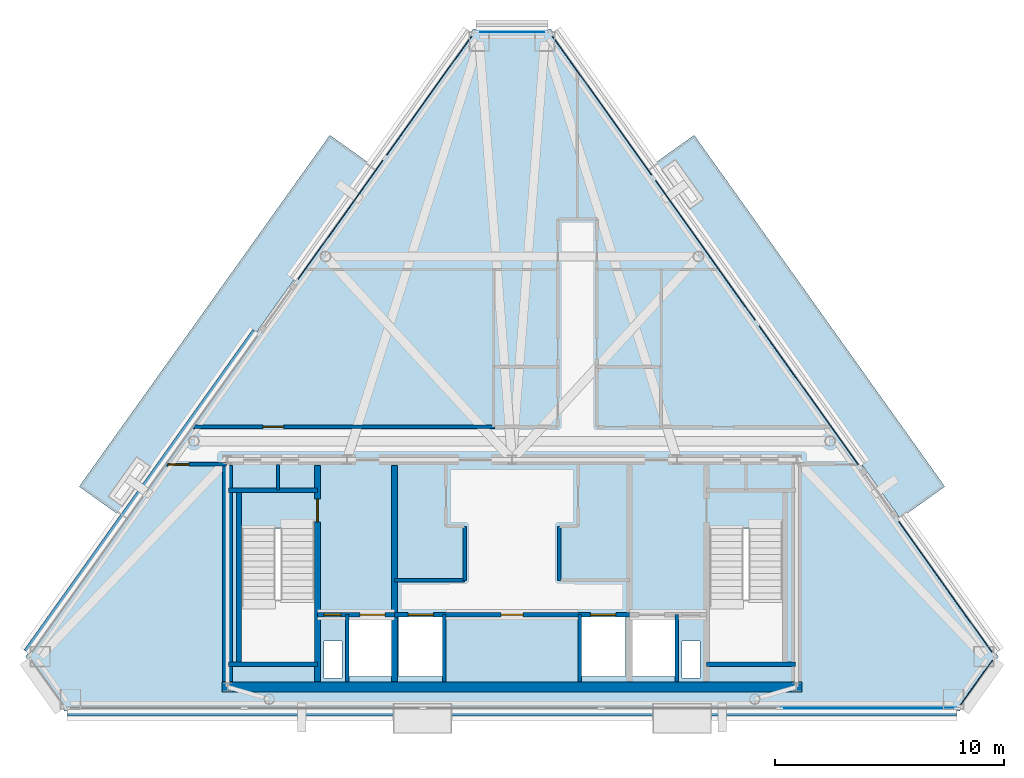
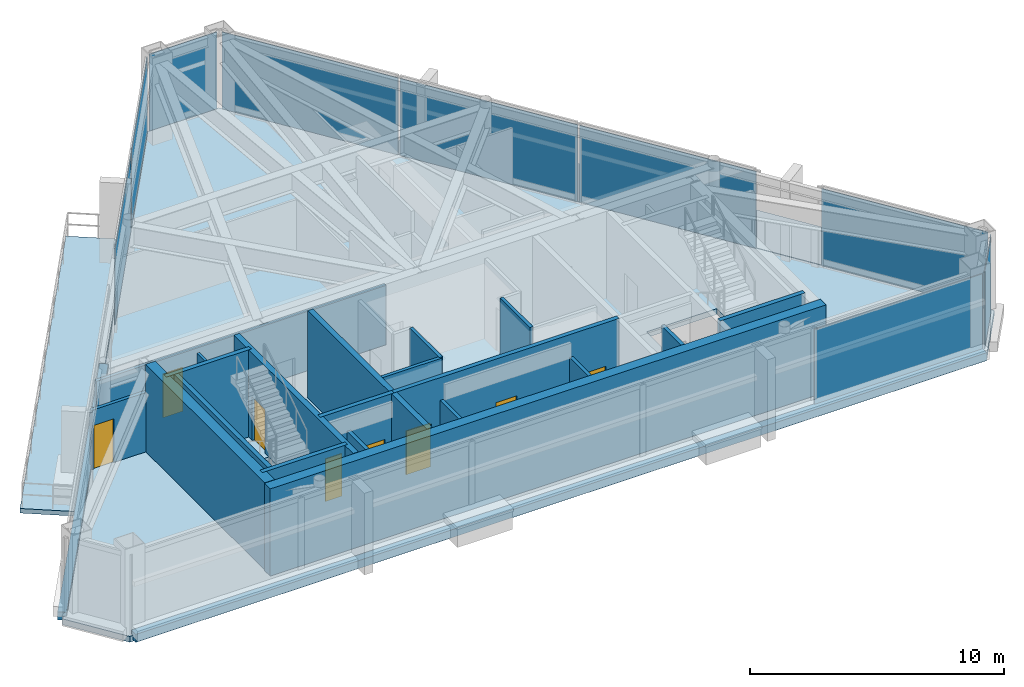
# One storey, part 3 of 7: 22 walls, 9 plates, 8 doors, 3 slabs, 8 openings, 6 elements without a shape of their own.
"""IFC4 building model written with IfcOpenShell, lengths in metres."""

from ifc_helpers import new_model, si_unit, direction, frame, frame_2d, origin, origin_2d, place, context, subcontext, project, spatial, polyline, rectangle, outline, extrude, source, transform, mapped, material, layer, layer_set, type_object, type_shapes, element, fill, aggregate, save


model = new_model("IFC4")

# Units and contexts
model_context = context("Model", 3, precision=1e-05, world=origin(), true_north=direction((0.0, 1.0)))
body_context = subcontext(model_context, "Body", "Model", "MODEL_VIEW")
ifc_project = project(units=[si_unit("LENGTHUNIT", "METRE"), si_unit("AREAUNIT", "SQUARE_METRE"), si_unit("VOLUMEUNIT", "CUBIC_METRE"), si_unit("PLANEANGLEUNIT", "RADIAN"), si_unit("MASSUNIT", "GRAM", prefix="KILO")], contexts=[model_context])

# Site, building, storey
site_placement = place(None, origin())
site = spatial("IfcSite", under=ifc_project, at=site_placement, CompositionType="ELEMENT")
building_placement = place(site_placement, origin())
building = spatial("IfcBuilding", under=site, at=building_placement, Name="Talgorran Terracotta Tower", CompositionType="ELEMENT")
storey_placement = place(building_placement, frame((0.0, 0.0, 293.39990234375)))
storey = spatial("IfcBuildingStorey", under=building, at=storey_placement, Name="L77", CompositionType="ELEMENT", Elevation=293.39990234375)

# Slabs
ifc_material_1 = material(Name="Concrete C40/50", Category="concrete")
ifc_layer_1 = layer(ifc_material_1, 0.219970703125, Name="SL_BALCONY_220")
ifc_layer_set_1 = layer_set([ifc_layer_1], Name="Concrete C40/50")
slab_type_1 = type_object("IfcSlabType", Name="SL_BALCONY_220", PredefinedType="FLOOR", material=ifc_layer_set_1)
slab_1_placement = place(storey_placement, frame((0.0, 0.0, -0.219970703125)))
element("IfcSlab", 1, at=slab_1_placement, inside=storey, type_object=slab_type_1, Name="L77 Outdoor Wave Balcony TERR-NE", PredefinedType="FLOOR", context=body_context, shape_type="SweptSolid", body=[
    extrude(outline(polyline([(5.999267578125, 8.56640625), (16.92529296875, -6.7490234375), (18.86669921875, -5.364013671875), (7.94091796875, 9.95166015625), (5.999267578125, 8.56640625)])), origin(), (0.0, 0.0, 1.0), 0.219970703125),
])
slab_2_placement = place(storey_placement, frame((0.0, 0.0, -0.219970703125)))
element("IfcSlab", 2, at=slab_2_placement, inside=storey, type_object=slab_type_1, Name="L77 Outdoor Wave Balcony TERR-NW", PredefinedType="FLOOR", context=body_context, shape_type="SweptSolid", body=[
    extrude(outline(polyline([(-16.92529296875, -6.7490234375), (-5.999267578125, 8.56640625), (-7.94091796875, 9.95166015625), (-18.86669921875, -5.364013671875), (-16.92529296875, -6.7490234375)])), origin(), (0.0, 0.0, 1.0), 0.219970703125),
])
ifc_layer_2 = layer(ifc_material_1, 0.280029296875, Name="SL_HALL_280")
ifc_layer_set_2 = layer_set([ifc_layer_2], Name="Concrete C40/50")
slab_type_2 = type_object("IfcSlabType", Name="SL_HALL_280", PredefinedType="FLOOR", material=ifc_layer_set_2)
slab_3_placement = place(storey_placement, frame((0.0, 0.0, -0.27978515625)))
element("IfcSlab", 3, at=slab_3_placement, inside=storey, type_object=slab_type_2, Name="Storey L77 Structural Floor Slab", PredefinedType="FLOOR", context=body_context, shape_type="SweptSolid", body=[
    extrude(outline(polyline([(-21.205322265625, -12.774658203125), (-19.5107421875, -15.14990234375), (19.5107421875, -15.14990234375), (21.205322265625, -12.774658203125), (1.694580078125, 14.57470703125), (-1.694580078125, 14.57470703125), (-21.205322265625, -12.774658203125)]), holes=[polyline([(-11.800048828125, -7.199951171875), (-11.800048828125, -13.0), (-8.60009765625, -13.0), (-8.60009765625, -7.199951171875), (-11.800048828125, -7.199951171875)]), polyline([(8.60009765625, -7.199951171875), (8.60009765625, -13.0), (11.800048828125, -13.0), (11.800048828125, -7.199951171875), (8.60009765625, -7.199951171875)]), polyline([(-7.10009765625, -13.64990234375), (-5.199951171875, -13.64990234375), (-5.199951171875, -11.050048828125), (-7.10009765625, -11.050048828125), (-7.10009765625, -13.64990234375)]), polyline([(5.199951171875, -13.64990234375), (7.10009765625, -13.64990234375), (7.10009765625, -11.050048828125), (5.199951171875, -11.050048828125), (5.199951171875, -13.64990234375)]), polyline([(3.0, -13.64990234375), (4.949951171875, -13.64990234375), (4.949951171875, -11.050048828125), (3.0, -11.050048828125), (3.0, -13.64990234375)]), polyline([(-4.949951171875, -13.64990234375), (-3.0, -13.64990234375), (-3.0, -11.050048828125), (-4.949951171875, -11.050048828125), (-4.949951171875, -13.64990234375)]), polyline([(-8.199951171875, -13.699951171875), (-7.39990234375, -13.699951171875), (-7.39990234375, -12.10009765625), (-8.199951171875, -12.10009765625), (-8.199951171875, -13.699951171875)]), polyline([(7.39990234375, -13.699951171875), (8.199951171875, -13.699951171875), (8.199951171875, -12.10009765625), (7.39990234375, -12.10009765625), (7.39990234375, -13.699951171875)])]), origin(), (0.0, 0.0, 1.0), 0.27978515625),
])

# Curtain wall, plate
ifc_material_2 = material(Name="Structural Laminated Low-Iron")
ifc_layer_3 = layer(ifc_material_2, 0.239990234375, Name="CW_SYS5_SKY_OBS")
ifc_layer_set_3 = layer_set([ifc_layer_3], Name="Structural Laminated Low-Iron")
curtain_wall_type = type_object("IfcCurtainWallType", Name="CW_SYS5_SKY_OBS", PredefinedType="NOTDEFINED", material=ifc_layer_set_3)
curtain_wall_1_placement = place(storey_placement, origin())
curtain_wall_1 = element("IfcCurtainWall", 4, at=curtain_wall_1_placement, inside=storey, type_object=curtain_wall_type, Name="CW-L77-F2", PredefinedType="NOTDEFINED")
ifc_material_3 = material(Name="Low-Iron Structural Vision Glass", Category="glass")
ifc_layer_4 = layer(ifc_material_3, 0.035888671875, Name="PLT_LOWIRON_36")
ifc_layer_set_4 = layer_set([ifc_layer_4], Name="Low-Iron Structural Vision Glass")
plate_type = type_object("IfcPlateType", Name="PLT_LOWIRON_36", PredefinedType="CURTAIN_PANEL", material=ifc_layer_set_4)
shared_shape_1 = source(origin(), body_context, "Body", "SweptSolid", [
    extrude(rectangle(XDim=2.590576171875, YDim=0.035888671875, at=origin_2d()), origin(), (0.0, 0.0, 1.0), 3.699951171875),
])
plate_1_placement = place(storey_placement, frame((20.25341796875, -13.90234375, 0.09033203125), z_axis=(0.0, 0.0, 1.0), x_axis=(0.580760085543, 0.814074765018, 0.0)))
plate_1 = element("IfcPlate", 5, at=plate_1_placement, type_object=plate_type, Name="CW-L77-2 panel 1.1", PredefinedType="CURTAIN_PANEL", context=body_context, shape_type="MappedRepresentation", body=[
    mapped(shared_shape_1, transform((0.0, 0.0, 0.0), scale=1.0)),
])
aggregate(curtain_wall_1, [plate_1])

curtain_wall_2_placement = place(storey_placement, origin())
curtain_wall_2 = element("IfcCurtainWall", 6, at=curtain_wall_2_placement, inside=storey, type_object=curtain_wall_type, Name="CW-L77-F1", PredefinedType="NOTDEFINED")
shared_shape_2 = source(origin(), body_context, "Body", "SweptSolid", [
    extrude(rectangle(XDim=7.64453125, YDim=0.035888671875, at=origin_2d()), origin(), (0.0, 0.0, 1.0), 3.699951171875),
])
plate_2_placement = place(storey_placement, frame((15.53662109375, -15.030029296875, 0.09033203125), z_axis=(0.0, 0.0, 1.0), x_axis=(1.0, 0.0, 0.0)))
plate_2 = element("IfcPlate", 7, at=plate_2_placement, type_object=plate_type, Name="CW-L77-1 panel 5.1", PredefinedType="CURTAIN_PANEL", context=body_context, shape_type="MappedRepresentation", body=[
    mapped(shared_shape_2, transform((0.0, 0.0, 0.0), scale=1.0)),
])
aggregate(curtain_wall_2, [plate_2])

curtain_wall_3_placement = place(storey_placement, origin())
curtain_wall_3 = element("IfcCurtainWall", 8, at=curtain_wall_3_placement, inside=storey, type_object=curtain_wall_type, Name="CW-L77-F40", PredefinedType="NOTDEFINED")
shared_shape_3 = source(origin(), body_context, "Body", "SweptSolid", [
    extrude(rectangle(XDim=7.205322265625, YDim=0.035888671875, at=origin_2d()), origin(), (0.0, 0.0, 1.0), 3.699951171875),
])
plate_3_placement = place(storey_placement, frame((18.89013671875, -9.73583984375, 0.09033203125), z_axis=(0.0, 0.0, 1.0), x_axis=(-0.580769311116, 0.814068183426, 0.0)))
plate_3 = element("IfcPlate", 9, at=plate_3_placement, type_object=plate_type, Name="CW-L77-40 panel 1.1", PredefinedType="CURTAIN_PANEL", context=body_context, shape_type="MappedRepresentation", body=[
    mapped(shared_shape_3, transform((0.0, 0.0, 0.0), scale=1.0)),
])
aggregate(curtain_wall_3, [plate_3])

# Curtain wall, plates
curtain_wall_4_placement = place(storey_placement, origin())
curtain_wall_4 = element("IfcCurtainWall", 10, at=curtain_wall_4_placement, inside=storey, type_object=curtain_wall_type, Name="CW-L77-F41", PredefinedType="NOTDEFINED")
shared_shape_4 = source(origin(), body_context, "Body", "SweptSolid", [
    extrude(rectangle(XDim=7.63916015625, YDim=0.035888671875, at=origin_2d()), origin(), (0.0, 0.0, 1.0), 3.699951171875),
])
plate_4_placement = place(storey_placement, frame((12.93017578125, -1.381591796875, 0.09033203125), z_axis=(0.0, 0.0, 1.0), x_axis=(-0.58075989933, 0.814074897863, 0.0)))
plate_4 = element("IfcPlate", 11, at=plate_4_placement, type_object=plate_type, Name="CW-L77-41 panel 1.1", PredefinedType="CURTAIN_PANEL", context=body_context, shape_type="MappedRepresentation", body=[
    mapped(shared_shape_4, transform((0.0, 0.0, 0.0), scale=1.0)),
])
plate_5_placement = place(storey_placement, frame((3.926513671875, 11.2392578125, 0.09033203125), z_axis=(0.0, 0.0, 1.0), x_axis=(-0.58075989933, 0.814074897863, 0.0)))
plate_5 = element("IfcPlate", 12, at=plate_5_placement, type_object=plate_type, Name="CW-L77-41 panel 3.1", PredefinedType="CURTAIN_PANEL", context=body_context, shape_type="MappedRepresentation", body=[
    mapped(shared_shape_4, transform((0.0, 0.0, 0.0), scale=1.0)),
])
shared_shape_5 = source(origin(), body_context, "Body", "SweptSolid", [
    extrude(rectangle(XDim=7.68408203125, YDim=0.035888671875, at=origin_2d()), origin(), (0.0, 0.0, 1.0), 3.699951171875),
])
plate_6_placement = place(storey_placement, frame((8.428466796875, 4.928955078125, 0.09033203125), z_axis=(0.0, 0.0, 1.0), x_axis=(-0.58075989933, 0.814074897863, 0.0)))
plate_6 = element("IfcPlate", 13, at=plate_6_placement, type_object=plate_type, Name="CW-L77-41 panel 2.1", PredefinedType="CURTAIN_PANEL", context=body_context, shape_type="MappedRepresentation", body=[
    mapped(shared_shape_5, transform((0.0, 0.0, 0.0), scale=1.0)),
])
aggregate(curtain_wall_4, [plate_4, plate_6, plate_5])

# Curtain wall, plate
curtain_wall_5_placement = place(storey_placement, origin())
curtain_wall_5 = element("IfcCurtainWall", 14, at=curtain_wall_5_placement, inside=storey, type_object=curtain_wall_type, Name="CW-L77-F4", PredefinedType="NOTDEFINED")
shared_shape_6 = source(origin(), body_context, "Body", "SweptSolid", [
    extrude(rectangle(XDim=3.085693359375, YDim=0.035888671875, at=origin_2d()), origin(), (0.0, 0.0, 1.0), 3.699951171875),
])
plate_7_placement = place(storey_placement, frame((0.0, 14.45458984375, 0.09033203125), z_axis=(0.0, 0.0, 1.0), x_axis=(-1.0, 0.0, 0.0)))
plate_7 = element("IfcPlate", 15, at=plate_7_placement, type_object=plate_type, Name="CW-L77-4 panel 1.1", PredefinedType="CURTAIN_PANEL", context=body_context, shape_type="MappedRepresentation", body=[
    mapped(shared_shape_6, transform((0.0, 0.0, 0.0), scale=1.0)),
])
aggregate(curtain_wall_5, [plate_7])

# Curtain wall, plates
curtain_wall_6_placement = place(storey_placement, origin())
curtain_wall_6 = element("IfcCurtainWall", 16, at=curtain_wall_6_placement, inside=storey, type_object=curtain_wall_type, Name="CW-L77-F60", PredefinedType="NOTDEFINED")
shared_shape_7 = source(origin(), body_context, "Body", "SweptSolid", [
    extrude(rectangle(XDim=6.560791015625, YDim=0.035888671875, at=origin_2d()), origin(), (0.0, 0.0, 1.0), 3.699951171875),
])
type_shapes(plate_type, [shared_shape_1, shared_shape_2, shared_shape_3, shared_shape_4, shared_shape_5, shared_shape_6, shared_shape_7])
plate_8_placement = place(storey_placement, frame((-3.613525390625, 11.67822265625, 0.09033203125), z_axis=(0.0, 0.0, 1.0), x_axis=(-0.580763415406, -0.814072389487, 0.0)))
plate_8 = element("IfcPlate", 17, at=plate_8_placement, type_object=plate_type, Name="CW-L77-60 panel 1.1", PredefinedType="CURTAIN_PANEL", context=body_context, shape_type="MappedRepresentation", body=[
    mapped(shared_shape_7, transform((0.0, 0.0, 0.0), scale=1.0)),
])
plate_9_placement = place(storey_placement, frame((-7.47607421875, 6.263916015625, 0.09033203125), z_axis=(0.0, 0.0, 1.0), x_axis=(-0.580763415406, -0.814072389487, 0.0)))
plate_9 = element("IfcPlate", 18, at=plate_9_placement, type_object=plate_type, Name="CW-L77-60 panel 2.1", PredefinedType="CURTAIN_PANEL", context=body_context, shape_type="MappedRepresentation", body=[
    mapped(shared_shape_7, transform((0.0, 0.0, 0.0), scale=1.0)),
])
aggregate(curtain_wall_6, [plate_8, plate_9])

# Walls
ifc_material_4 = material(Name="Concrete C50/60", Category="concrete")
ifc_layer_5 = layer(ifc_material_4, 0.199951171875, Name="WT_CORE_200")
ifc_layer_set_5 = layer_set([ifc_layer_5], Name="Concrete C50/60")
wall_type_1 = type_object("IfcWallType", Name="WT_CORE_200", PredefinedType="SOLIDWALL", material=ifc_layer_set_5)
for number, where, z_axis, x_axis, name in (
    (19, (-12.35009765625, -5.52001953125, 0.0), (0.0, 0.0, 1.0), (1.0, 0.0, 0.0), "WL-L77-CW-ST1-N"),
    (20, (-12.35009765625, -13.10009765625, 0.0), (0.0, 0.0, 1.0), (1.0, 0.0, 0.0), "WL-L77-CW-ST1-S"),
):
    element("IfcWall", number, at=place(storey_placement, frame(where, z_axis=z_axis, x_axis=x_axis)), inside=storey, type_object=wall_type_1, Name=name, PredefinedType="SOLIDWALL", context=body_context, shape_type="SweptSolid", body=[
        extrude(rectangle(XDim=3.8701171875, YDim=0.199951171875, at=frame_2d((1.93505859375, 0.0))), origin(), (0.0, 0.0, 1.0), 4.2001953125),
    ])
wall_1_placement = place(storey_placement, frame((-11.89990234375, -13.10009765625, 0.0), z_axis=(0.0, 0.0, 1.0), x_axis=(0.0, 1.0, 0.0)))
element("IfcWall", 21, at=wall_1_placement, inside=storey, type_object=wall_type_1, Name="WL-L77-CW-ST1-W", PredefinedType="SOLIDWALL", context=body_context, shape_type="SweptSolid", body=[
    extrude(rectangle(XDim=7.580078125, YDim=0.199951171875, at=frame_2d((3.7900390625, 0.0))), origin(), (0.0, 0.0, 1.0), 4.2001953125),
])
wall_2_placement = place(storey_placement, frame((8.47998046875, -13.10009765625, 0.0), z_axis=(0.0, 0.0, 1.0), x_axis=(1.0, 0.0, 0.0)))
element("IfcWall", 22, at=wall_2_placement, inside=storey, type_object=wall_type_1, Name="WL-L77-CW-ST2-S", PredefinedType="SOLIDWALL", context=body_context, shape_type="SweptSolid", body=[
    extrude(rectangle(XDim=3.8701171875, YDim=0.199951171875, at=frame_2d((1.93505859375, 0.0))), origin(), (0.0, 0.0, 1.0), 4.2001953125),
])

# Wall, openings, doors
wall_3_placement = place(storey_placement, frame((-8.47998046875, -10.949951171875, 0.0), z_axis=(0.0, 0.0, 1.0), x_axis=(1.0, 0.0, 0.0)))
wall_3 = element("IfcWall", 23, at=wall_3_placement, inside=storey, type_object=wall_type_1, Name="WL-L77-CW-H-SBW", PredefinedType="SOLIDWALL", context=body_context, shape_type="SweptSolid", body=[
    extrude(rectangle(XDim=3.35986328125, YDim=0.199951171875, at=frame_2d((1.679931640625, 0.0))), origin(), (0.0, 0.0, 1.0), 4.2001953125),
])
opening_1_placement = place(wall_3_placement, frame((0.280029296875, 0.0, 0.0)))
opening_1 = element("IfcOpeningElement", 24, at=opening_1_placement, cuts=wall_3, Name="Opening DR-RSW", PredefinedType="OPENING", context=body_context, shape_type="SweptSolid", body=[
    extrude(rectangle(XDim=0.756, YDim=2.054048828125, at=frame_2d((0.375, 1.027099609375))), frame((0.0, 0.10986328125, 0.0), z_axis=(0.0, -1.0, 0.0), x_axis=(1.0, 0.0, 0.0)), (0.0, 0.0, 1.0), 0.219970703125),
])
opening_2_placement = place(wall_3_placement, frame((1.85009765625, 0.0, 0.0)))
opening_2 = element("IfcOpeningElement", 25, at=opening_2_placement, cuts=wall_3, Name="Opening LD-FFL1", PredefinedType="OPENING", context=body_context, shape_type="SweptSolid", body=[
    extrude(rectangle(XDim=1.10609765625, YDim=2.10409765625, at=frame_2d((0.550048828125, 1.052001953125))), frame((0.0, 0.10986328125, 0.0), z_axis=(0.0, -1.0, 0.0), x_axis=(1.0, 0.0, 0.0)), (0.0, 0.0, 1.0), 0.219970703125),
])
ifc_material_5 = material(Name="Brushed Stainless Steel Grade 304", Category="steel")
door_type_1 = type_object("IfcDoorType", Name="DT_LIFT_LD1100", OperationType="DOUBLE_DOOR_SLIDING", PredefinedType="DOOR", material=ifc_material_5)
door_1_placement = place(opening_2_placement, origin())
door_1 = element("IfcDoor", 26, at=door_1_placement, inside=storey, type_object=door_type_1, Name="L77 Lift Landing Door LD-FFL1", OperationType="DOUBLE_DOOR_SLIDING", OverallHeight=2.10009765625, OverallWidth=1.10009765625, PredefinedType="DOOR", context=body_context, shape_type="SweptSolid", body=[
    extrude(rectangle(XDim=1.10009765625, YDim=2.10009765625, at=frame_2d((0.550048828125, 1.050048828125))), frame((0.0, 0.02490234375, 0.0), z_axis=(0.0, -1.0, 0.0), x_axis=(1.0, 0.0, 0.0)), (0.0, 0.0, 1.0), 0.050048828125),
])
fill(opening_2, door_1)
ifc_material_6 = material(Name="Fire-Rated Pressed Steel", Category="steel")
door_type_2 = type_object("IfcDoorType", Name="DT_RISER_750", OperationType="NOTDEFINED", PredefinedType="DOOR", material=ifc_material_6)
door_2_placement = place(opening_1_placement, origin())
door_2 = element("IfcDoor", 27, at=door_2_placement, inside=storey, type_object=door_type_2, Name="DR-RSW", OperationType="SINGLE_SWING_LEFT", OverallHeight=2.050048828125, OverallWidth=0.75, PredefinedType="DOOR", context=body_context, shape_type="SweptSolid", body=[
    extrude(rectangle(XDim=0.75, YDim=2.050048828125, at=frame_2d((0.375, 1.02490234375))), frame((0.0, 0.02490234375, 0.0), z_axis=(0.0, -1.0, 0.0), x_axis=(1.0, 0.0, 0.0)), (0.0, 0.0, 1.0), 0.050048828125),
])
fill(opening_1, door_2)

wall_4_placement = place(storey_placement, frame((-5.1201171875, -10.949951171875, 0.0), z_axis=(0.0, 0.0, 1.0), x_axis=(1.0, 0.0, 0.0)))
wall_4 = element("IfcWall", 28, at=wall_4_placement, inside=storey, type_object=wall_type_1, Name="WL-L77-CW-H-SBC", PredefinedType="SOLIDWALL", context=body_context, shape_type="SweptSolid", body=[
    extrude(rectangle(XDim=10.240234375, YDim=0.199951171875, at=frame_2d((5.1201171875, 0.0))), origin(), (0.0, 0.0, 1.0), 4.2001953125),
])
opening_3_placement = place(wall_4_placement, frame((0.60009765625, 0.0, 0.0)))
opening_3 = element("IfcOpeningElement", 29, at=opening_3_placement, cuts=wall_4, Name="Opening LD-OB1", PredefinedType="OPENING", context=body_context, shape_type="SweptSolid", body=[
    extrude(rectangle(XDim=1.10609765625, YDim=2.10409765625, at=frame_2d((0.550048828125, 1.052001953125))), frame((0.0, 0.10986328125, 0.0), z_axis=(0.0, -1.0, 0.0), x_axis=(1.0, 0.0, 0.0)), (0.0, 0.0, 1.0), 0.219970703125),
])
opening_4_placement = place(wall_4_placement, frame((4.64990234375, 0.0, 0.0)))
opening_4 = element("IfcOpeningElement", 30, at=opening_4_placement, cuts=wall_4, Name="Opening DR-FRPLH", PredefinedType="OPENING", context=body_context, shape_type="SweptSolid", body=[
    extrude(rectangle(XDim=0.955951171875, YDim=2.10409765625, at=frame_2d((0.47509765625, 1.052001953125))), frame((0.0, 0.10986328125, 0.0), z_axis=(0.0, -1.0, 0.0), x_axis=(1.0, 0.0, 0.0)), (0.0, 0.0, 1.0), 0.219970703125),
])
opening_5_placement = place(wall_4_placement, frame((8.5400390625, 0.0, 0.0)))
opening_5 = element("IfcOpeningElement", 31, at=opening_5_placement, cuts=wall_4, Name="Opening LD-SVL1", PredefinedType="OPENING", context=body_context, shape_type="SweptSolid", body=[
    extrude(rectangle(XDim=1.10609765625, YDim=2.10409765625, at=frame_2d((0.550048828125, 1.052001953125))), frame((0.0, 0.10986328125, 0.0), z_axis=(0.0, -1.0, 0.0), x_axis=(1.0, 0.0, 0.0)), (0.0, 0.0, 1.0), 0.219970703125),
])
ifc_material_7 = material(Name="Fire-Rated Timber Core", Category="wood")
door_type_3 = type_object("IfcDoorType", Name="DT_FIRE_950", OperationType="NOTDEFINED", PredefinedType="DOOR", material=ifc_material_7)
door_3_placement = place(opening_4_placement, origin())
door_3 = element("IfcDoor", 32, at=door_3_placement, inside=storey, type_object=door_type_3, Name="DR-FRPLH", OperationType="SINGLE_SWING_RIGHT", OverallHeight=2.10009765625, OverallWidth=0.949951171875, PredefinedType="DOOR", context=body_context, shape_type="SweptSolid", body=[
    extrude(rectangle(XDim=0.949951171875, YDim=2.10009765625, at=frame_2d((0.47509765625, 1.050048828125))), frame((0.0, 0.02490234375, 0.0), z_axis=(0.0, -1.0, 0.0), x_axis=(1.0, 0.0, 0.0)), (0.0, 0.0, 1.0), 0.050048828125),
])
fill(opening_4, door_3)
door_4_placement = place(opening_3_placement, origin())
door_4 = element("IfcDoor", 33, at=door_4_placement, inside=storey, type_object=door_type_1, Name="L77 Lift Landing Door LD-OB1", OperationType="DOUBLE_DOOR_SLIDING", OverallHeight=2.10009765625, OverallWidth=1.10009765625, PredefinedType="DOOR", context=body_context, shape_type="SweptSolid", body=[
    extrude(rectangle(XDim=1.10009765625, YDim=2.10009765625, at=frame_2d((0.550048828125, 1.050048828125))), frame((0.0, 0.02490234375, 0.0), z_axis=(0.0, -1.0, 0.0), x_axis=(1.0, 0.0, 0.0)), (0.0, 0.0, 1.0), 0.050048828125),
])
fill(opening_3, door_4)
door_5_placement = place(opening_5_placement, origin())
door_5 = element("IfcDoor", 34, at=door_5_placement, inside=storey, type_object=door_type_1, Name="L77 Lift Landing Door LD-SVL1", OperationType="DOUBLE_DOOR_SLIDING", OverallHeight=2.10009765625, OverallWidth=1.10009765625, PredefinedType="DOOR", context=body_context, shape_type="SweptSolid", body=[
    extrude(rectangle(XDim=1.10009765625, YDim=2.10009765625, at=frame_2d((0.550048828125, 1.050048828125))), frame((0.0, 0.02490234375, 0.0), z_axis=(0.0, -1.0, 0.0), x_axis=(1.0, 0.0, 0.0)), (0.0, 0.0, 1.0), 0.050048828125),
])
fill(opening_5, door_5)

# Wall, opening, door
ifc_layer_6 = layer(ifc_material_4, 0.25, Name="WT_CORE_250")
ifc_layer_set_6 = layer_set([ifc_layer_6], Name="Concrete C50/60")
wall_type_2 = type_object("IfcWallType", Name="WT_CORE_250", PredefinedType="SHEAR", material=ifc_layer_set_6)
wall_5_placement = place(storey_placement, frame((-8.47998046875, -13.85009765625, 0.0), z_axis=(0.0, 0.0, 1.0), x_axis=(0.0, 1.0, 0.0)))
wall_5 = element("IfcWall", 35, at=wall_5_placement, inside=storey, type_object=wall_type_2, Name="WL-L77-CW-V-W1", PredefinedType="SHEAR", context=body_context, shape_type="SweptSolid", body=[
    extrude(rectangle(XDim=9.400146484375, YDim=0.25, at=frame_2d((4.7001953125, 0.0))), origin(), (0.0, 0.0, 1.0), 4.2001953125),
])
opening_6_placement = place(wall_5_placement, frame((6.949951171875, 0.0, 0.0)))
opening_6 = element("IfcOpeningElement", 36, at=opening_6_placement, cuts=wall_5, Name="Opening DR-ST01", PredefinedType="OPENING", context=body_context, shape_type="SweptSolid", body=[
    extrude(rectangle(XDim=1.006, YDim=2.10409765625, at=frame_2d((0.5, 1.052001953125))), frame((0.0, 0.135009765625, 0.0), z_axis=(0.0, -1.0, 0.0), x_axis=(1.0, 0.0, 0.0)), (0.0, 0.0, 1.0), 0.27001953125),
])
door_type_4 = type_object("IfcDoorType", Name="DT_FIRE_1000", OperationType="NOTDEFINED", PredefinedType="DOOR", material=ifc_material_6)
door_6_placement = place(opening_6_placement, origin())
door_6 = element("IfcDoor", 37, at=door_6_placement, inside=storey, type_object=door_type_4, Name="DR-ST01", OperationType="SINGLE_SWING_LEFT", OverallHeight=2.10009765625, OverallWidth=1.0, PredefinedType="DOOR", context=body_context, shape_type="SweptSolid", body=[
    extrude(rectangle(XDim=1.0, YDim=2.10009765625, at=frame_2d((0.5, 1.050048828125))), frame((0.0, 0.02490234375, 0.0), z_axis=(0.0, -1.0, 0.0), x_axis=(1.0, 0.0, 0.0)), (0.0, 0.0, 1.0), 0.050048828125),
])
fill(opening_6, door_6)

# Walls
wall_6_placement = place(storey_placement, frame((-5.1201171875, -13.85009765625, 0.0), z_axis=(0.0, 0.0, 1.0), x_axis=(0.0, 1.0, 0.0)))
element("IfcWall", 38, at=wall_6_placement, inside=storey, type_object=wall_type_2, Name="WL-L77-CW-V-W2", PredefinedType="SHEAR", context=body_context, shape_type="SweptSolid", body=[
    extrude(rectangle(XDim=9.400146484375, YDim=0.25, at=frame_2d((4.7001953125, 0.0))), origin(), (0.0, 0.0, 1.0), 4.2001953125),
])
ifc_material_8 = material(Name="Concrete C65/80", Category="concrete")
ifc_layer_7 = layer(ifc_material_8, 0.449951171875, Name="WT_CORE_EXT")
ifc_layer_set_7 = layer_set([ifc_layer_7], Name="Concrete C65/80")
wall_type_3 = type_object("IfcWallType", Name="WT_CORE_EXT", PredefinedType="SHEAR", material=ifc_layer_set_7)
wall_7_placement = place(storey_placement, frame((-12.64990234375, -14.10009765625, 0.0), z_axis=(0.0, 0.0, 1.0), x_axis=(1.0, 0.0, 0.0)))
element("IfcWall", 39, at=wall_7_placement, inside=storey, type_object=wall_type_3, Name="WL-L77-CW-OUT-S", PredefinedType="SHEAR", context=body_context, shape_type="SweptSolid", body=[
    extrude(rectangle(XDim=25.2998046875, YDim=0.449951171875, at=frame_2d((12.64990234375, 0.0))), origin(), (0.0, 0.0, 1.0), 4.2001953125),
])
wall_8_placement = place(storey_placement, frame((-12.39990234375, -13.85009765625, 0.0), z_axis=(0.0, 0.0, 1.0), x_axis=(0.0, 1.0, 0.0)))
element("IfcWall", 40, at=wall_8_placement, inside=storey, type_object=wall_type_3, Name="WL-L77-CW-OUT-W", PredefinedType="SHEAR", context=body_context, shape_type="SweptSolid", body=[
    extrude(rectangle(XDim=9.400146484375, YDim=0.449951171875, at=frame_2d((4.7001953125, 0.0))), origin(), (0.0, 0.0, 1.0), 4.2001953125),
])
ifc_material_9 = material(Name="Fire-Rated Steel Stud Plasterboard", Category="steel")
ifc_layer_8 = layer(ifc_material_9, 0.14990234375, Name="WT_FIRE_150")
ifc_layer_set_8 = layer_set([ifc_layer_8], Name="Fire-Rated Steel Stud Plasterboard")
wall_type_4 = type_object("IfcWallType", Name="WT_FIRE_150", PredefinedType="PARTITIONING", material=ifc_layer_set_8)
wall_9_placement = place(storey_placement, frame((-5.1201171875, -9.449951171875, 0.0), z_axis=(0.0, 0.0, 1.0), x_axis=(1.0, 0.0, 0.0)))
element("IfcWall", 41, at=wall_9_placement, inside=storey, type_object=wall_type_4, Name="WL-L77-CW-H-W4N", PredefinedType="PARTITIONING", context=body_context, shape_type="SweptSolid", body=[
    extrude(rectangle(XDim=3.06005859375, YDim=0.14990234375, at=frame_2d((1.530029296875, 0.0))), origin(), (0.0, 0.0, 1.0), 3.880126953125),
])
for number, where, z_axis, x_axis, name in (
    (42, (-2.06005859375, -9.449951171875, 0.0), (0.0, 0.0, 1.0), (0.0, 1.0, 0.0), "WL-L77-CW-V-W3S2"),
    (43, (2.06005859375, -9.449951171875, 0.0), (0.0, 0.0, 1.0), (0.0, 1.0, 0.0), "WL-L77-CW-V-E3S2"),
):
    element("IfcWall", number, at=place(storey_placement, frame(where, z_axis=z_axis, x_axis=x_axis)), inside=storey, type_object=wall_type_4, Name=name, PredefinedType="PARTITIONING", context=body_context, shape_type="SweptSolid", body=[
        extrude(rectangle(XDim=2.349853515625, YDim=0.14990234375, at=frame_2d((1.1748046875, 0.0))), origin(), (0.0, 0.0, 1.0), 3.880126953125),
    ])

# Wall, opening, door
wall_10_placement = place(storey_placement, frame((-13.91357421875, -2.760009765625, 0.0), z_axis=(0.0, 0.0, 1.0), x_axis=(1.0, 0.0, 0.0)))
wall_10 = element("IfcWall", 44, at=wall_10_placement, inside=storey, type_object=wall_type_4, Name="WL-L77-W-L77-R07", PredefinedType="PARTITIONING", context=body_context, shape_type="SweptSolid", body=[
    extrude(rectangle(XDim=13.173583984375, YDim=0.14990234375, at=frame_2d((6.5869140625, 0.0))), origin(), (0.0, 0.0, 1.0), 2.85498046875),
])
opening_7_placement = place(wall_10_placement, frame((3.053466796875, 0.0, 0.0)))
opening_7 = element("IfcOpeningElement", 45, at=opening_7_placement, cuts=wall_10, Name="Opening DR-L77-R05", PredefinedType="OPENING", context=body_context, shape_type="SweptSolid", body=[
    extrude(rectangle(XDim=0.90590234375, YDim=2.10409765625, at=frame_2d((0.449951171875, 1.052001953125))), frame((0.0, 0.0849609375, 0.0), z_axis=(0.0, -1.0, 0.0), x_axis=(1.0, 0.0, 0.0)), (0.0, 0.0, 1.0), 0.169921875),
])
door_type_5 = type_object("IfcDoorType", Name="DT_FIRE_900", OperationType="NOTDEFINED", PredefinedType="DOOR", material=ifc_material_7)
door_7_placement = place(opening_7_placement, origin())
door_7 = element("IfcDoor", 46, at=door_7_placement, inside=storey, type_object=door_type_5, Name="DR-L77-R05", OperationType="SINGLE_SWING_LEFT", OverallHeight=2.10009765625, OverallWidth=0.89990234375, PredefinedType="DOOR", context=body_context, shape_type="SweptSolid", body=[
    extrude(rectangle(XDim=0.89990234375, YDim=2.10009765625, at=frame_2d((0.449951171875, 1.050048828125))), frame((0.0, 0.02490234375, 0.0), z_axis=(0.0, -1.0, 0.0), x_axis=(1.0, 0.0, 0.0)), (0.0, 0.0, 1.0), 0.050048828125),
])
fill(opening_7, door_7)

wall_11_placement = place(storey_placement, frame((-15.08349609375, -4.39990234375, 0.0), z_axis=(0.0, 0.0, 1.0), x_axis=(1.0, 0.0, 0.0)))
wall_11 = element("IfcWall", 47, at=wall_11_placement, inside=storey, type_object=wall_type_4, Name="WL-L77-W-L77-R01", PredefinedType="PARTITIONING", context=body_context, shape_type="SweptSolid", body=[
    extrude(rectangle(XDim=2.6435546875, YDim=0.14990234375, at=frame_2d((1.32177734375, 0.0))), origin(), (0.0, 0.0, 1.0), 2.85498046875),
])
opening_8_placement = place(wall_11_placement, frame((0.10009765625, 0.0, 0.0)))
opening_8 = element("IfcOpeningElement", 48, at=opening_8_placement, cuts=wall_11, Name="Opening DR-L77-R01", PredefinedType="OPENING", context=body_context, shape_type="SweptSolid", body=[
    extrude(rectangle(XDim=0.90590234375, YDim=2.10409765625, at=frame_2d((0.449951171875, 1.052001953125))), frame((0.0, 0.0849609375, 0.0), z_axis=(0.0, -1.0, 0.0), x_axis=(1.0, 0.0, 0.0)), (0.0, 0.0, 1.0), 0.169921875),
])
door_8_placement = place(opening_8_placement, origin())
door_8 = element("IfcDoor", 49, at=door_8_placement, inside=storey, type_object=door_type_5, Name="DR-L77-R01", OperationType="SINGLE_SWING_LEFT", OverallHeight=2.10009765625, OverallWidth=0.89990234375, PredefinedType="DOOR", context=body_context, shape_type="SweptSolid", body=[
    extrude(rectangle(XDim=0.89990234375, YDim=2.10009765625, at=frame_2d((0.449951171875, 1.050048828125))), frame((0.0, 0.02490234375, 0.0), z_axis=(0.0, -1.0, 0.0), x_axis=(1.0, 0.0, 0.0)), (0.0, 0.0, 1.0), 0.050048828125),
])
fill(opening_8, door_8)

# Walls
ifc_layer_9 = layer(ifc_material_1, 0.219970703125, Name="WT_PARAPET_RC")
ifc_layer_set_9 = layer_set([ifc_layer_9], Name="Concrete C40/50")
wall_type_5 = type_object("IfcWallType", Name="WT_PARAPET_RC", PredefinedType="PARAPET", material=ifc_layer_set_9)
wall_12_placement = place(storey_placement, frame((-19.368896484375, -15.18994140625, -0.199951171875), z_axis=(0.0, 0.0, 1.0), x_axis=(1.0, 0.0, 0.0)))
element("IfcWall", 50, at=wall_12_placement, inside=storey, type_object=wall_type_5, Name="L77 Striped Portal Precast Cornice F1", PredefinedType="PARAPET", context=body_context, shape_type="SweptSolid", body=[
    extrude(rectangle(XDim=38.73779296875, YDim=0.360107421875, at=frame_2d((19.368896484375, 0.0))), origin(), (0.0, 0.0, 1.0), 0.380126953125),
])
wall_13_placement = place(storey_placement, frame((-11.15478515625, 1.382568359375, -0.199951171875), z_axis=(0.0, 0.0, 1.0), x_axis=(-0.580765612452, -0.814070822099, 0.0)))
element("IfcWall", 51, at=wall_13_placement, inside=storey, type_object=wall_type_5, Name="L77 Striped Portal Precast Cornice F61", PredefinedType="PARAPET", context=body_context, shape_type="SweptSolid", body=[
    extrude(rectangle(XDim=17.156494140625, YDim=0.360107421875, at=frame_2d((8.578125, 0.0))), origin(), (0.0, 0.0, 1.0), 0.380126953125),
])
ifc_material_10 = material(Name="Insulated Steel Stud Plasterboard", Category="steel")
ifc_layer_10 = layer(ifc_material_10, 0.1201171875, Name="WT_PART_120")
ifc_layer_set_10 = layer_set([ifc_layer_10], Name="Insulated Steel Stud Plasterboard")
wall_type_6 = type_object("IfcWallType", Name="WT_PART_120", PredefinedType="PARTITIONING", material=ifc_layer_set_10)
wall_14_placement = place(storey_placement, frame((-10.199951171875, -5.52001953125, 0.0), z_axis=(0.0, 0.0, 1.0), x_axis=(0.0, 1.0, 0.0)))
element("IfcWall", 52, at=wall_14_placement, inside=storey, type_object=wall_type_6, Name="WL-L77-CW-CSW-DIV", PredefinedType="PARTITIONING", context=body_context, shape_type="SweptSolid", body=[
    extrude(rectangle(XDim=1.1201171875, YDim=0.1201171875, at=frame_2d((0.56005859375, 0.0))), origin(), (0.0, 0.0, 1.0), 3.880126953125),
])
ifc_material_11 = material(Name="Fire-Rated Shaftwall")
ifc_layer_11 = layer(ifc_material_11, 0.159912109375, Name="WT_PART_150")
ifc_layer_set_11 = layer_set([ifc_layer_11], Name="Fire-Rated Shaftwall")
wall_type_7 = type_object("IfcWallType", Name="WT_PART_150", PredefinedType="PARTITIONING", material=ifc_layer_set_11)
for number, where, z_axis, x_axis, name in (
    (53, (-7.179931640625, -13.85009765625, 0.0), (0.0, 0.0, 1.0), (0.0, 1.0, 0.0), "WL-L77-CW-RSW"),
    (54, (7.179931640625, -13.85009765625, 0.0), (0.0, 0.0, 1.0), (0.0, 1.0, 0.0), "WL-L77-CW-RSE"),
    (55, (-2.949951171875, -13.85009765625, 0.0), (0.0, 0.0, 1.0), (0.0, 1.0, 0.0), "WL-L77-CW-OB-E"),
    (56, (2.949951171875, -13.85009765625, 0.0), (0.0, 0.0, 1.0), (0.0, 1.0, 0.0), "WL-L77-CW-SV-W"),
):
    element("IfcWall", number, at=place(storey_placement, frame(where, z_axis=z_axis, x_axis=x_axis)), inside=storey, type_object=wall_type_7, Name=name, PredefinedType="PARTITIONING", context=body_context, shape_type="SweptSolid", body=[
        extrude(rectangle(XDim=2.900146484375, YDim=0.159912109375, at=frame_2d((1.4501953125, 0.0))), origin(), (0.0, 0.0, 1.0), 3.10498046875),
    ])

save(model, "model.ifc")
